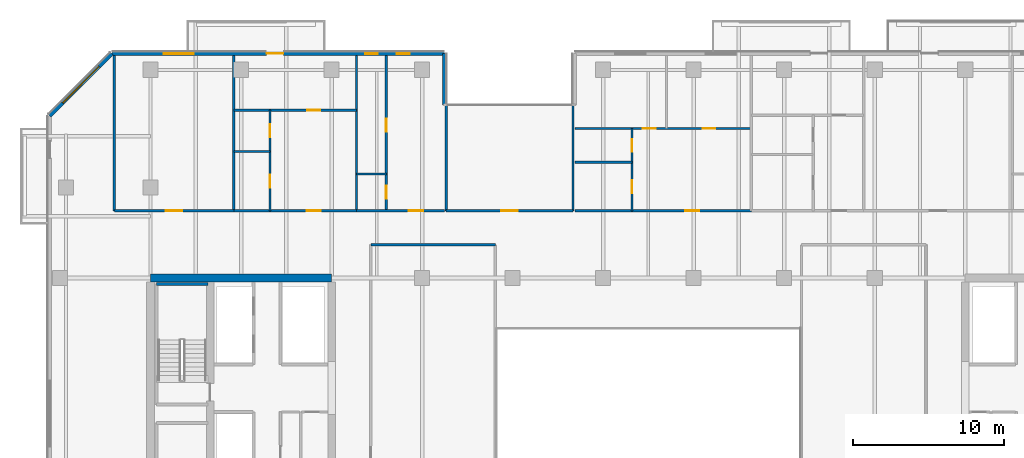
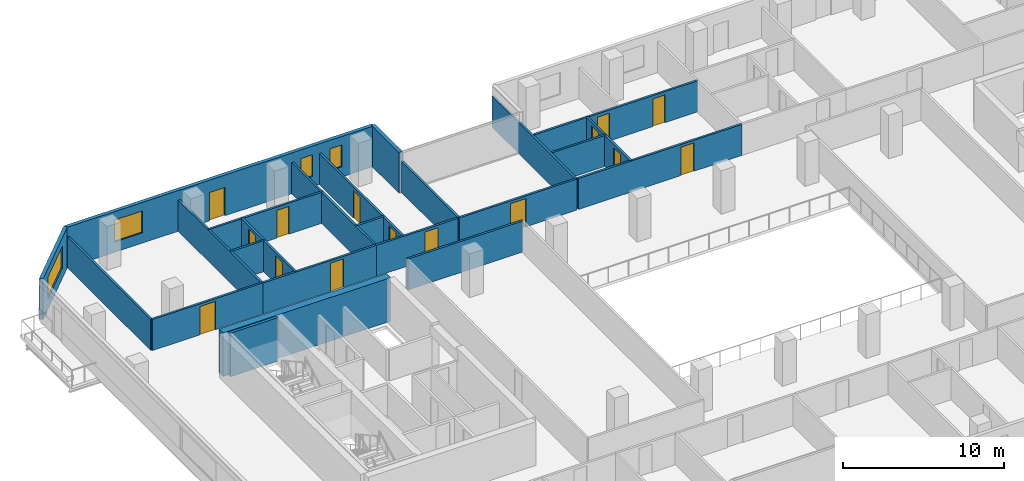
# One storey, part 13 of 23: 24 walls, 15 doors, 4 windows, 19 openings.
"""IFC4 building model written with IfcOpenShell, lengths in metres."""

from ifc_helpers import new_model, si_unit, direction, frame, frame_2d, origin, place, context, subcontext, project, spatial, rectangle, extrude, material, layer, layer_set, type_object, element, fill, save


model = new_model("IFC4")

# Units and contexts
model_context = context("Model", 3, precision=1e-05, world=origin(), true_north=direction((0.0, 1.0)))
body_context = subcontext(model_context, "Body", "Model", "MODEL_VIEW")
ifc_project = project(units=[si_unit("LENGTHUNIT", "METRE"), si_unit("AREAUNIT", "SQUARE_METRE"), si_unit("VOLUMEUNIT", "CUBIC_METRE"), si_unit("PLANEANGLEUNIT", "RADIAN"), si_unit("MASSUNIT", "GRAM", prefix="KILO")], contexts=[model_context])

# Site, building, storey
site_placement = place(None, origin())
site = spatial("IfcSite", under=ifc_project, at=site_placement, CompositionType="ELEMENT")
building_placement = place(site_placement, origin())
building = spatial("IfcBuilding", under=site, at=building_placement, Name="Tanjung Sevakor Pilgrim Tower", CompositionType="ELEMENT")
storey_placement = place(building_placement, frame((0.0, 0.0, 82.169921875)))
storey = spatial("IfcBuildingStorey", under=building, at=storey_placement, Name="L22", CompositionType="ELEMENT", Elevation=82.169921875)

# Walls
ifc_material_1 = material(Name="Concrete C60/75", Category="concrete")
ifc_layer_1 = layer(ifc_material_1, 0.5)
ifc_layer_set_1 = layer_set([ifc_layer_1], Name="WALL-CW-500")
wall_type_1 = type_object("IfcWallType", Name="WALL-CW-500", PredefinedType="SHEAR", material=ifc_layer_set_1)
wall_1_placement = place(storey_placement, frame((36.0, 42.60009765625, 0.0), z_axis=(0.0, 0.0, 1.0), x_axis=(-1.0, 0.0, 0.0)))
element("IfcWall", 1, at=wall_1_placement, inside=storey, type_object=wall_type_1, Name="L22 W Core North Shear Wall", PredefinedType="SHEAR", context=body_context, shape_type="SweptSolid", body=[
    extrude(rectangle(XDim=12.0, YDim=0.5, at=frame_2d((6.0, 0.0))), origin(), (0.0, 0.0, 1.0), 3.300048828125),
])
ifc_material_2 = material(Name="Concrete C40/50", Category="concrete")
ifc_layer_2 = layer(ifc_material_2, 0.14990234375)
ifc_layer_set_2 = layer_set([ifc_layer_2], Name="WT-COMP-150")
wall_type_2 = type_object("IfcWallType", Name="WT-COMP-150", PredefinedType="SOLIDWALL", material=ifc_layer_set_2)
wall_2_placement = place(storey_placement, frame((38.60009765625, 44.800048828125, 0.0), z_axis=(0.0, 0.0, 1.0), x_axis=(1.0, 0.0, 0.0)))
element("IfcWall", 2, at=wall_2_placement, inside=storey, type_object=wall_type_2, Name="L22 Partition IW-L22-026", PredefinedType="SOLIDWALL", context=body_context, shape_type="SweptSolid", body=[
    extrude(rectangle(XDim=8.25, YDim=0.14990234375, at=frame_2d((4.125, 0.0))), origin(), (0.0, 0.0, 1.0), 2.35009765625),
])

# Wall, opening, door
wall_3_placement = place(storey_placement, frame((43.60009765625, 47.050048828125, 0.0), z_axis=(0.0, 0.0, 1.0), x_axis=(1.0, 0.0, 0.0)))
wall_3 = element("IfcWall", 3, at=wall_3_placement, inside=storey, type_object=wall_type_2, Name="L22 Partition IW-L22-044", PredefinedType="SOLIDWALL", context=body_context, shape_type="SweptSolid", body=[
    extrude(rectangle(XDim=8.39990234375, YDim=0.14990234375, at=frame_2d((4.199951171875, 0.0))), origin(), (0.0, 0.0, 1.0), 2.35009765625),
])
opening_1_placement = place(wall_3_placement, frame((3.64990234375, 0.0, 0.0)))
opening_1 = element("IfcOpeningElement", 4, at=opening_1_placement, cuts=wall_3, Name="Opening ID-RM2", PredefinedType="OPENING", context=body_context, shape_type="SweptSolid", body=[
    extrude(rectangle(XDim=1.10009765625, YDim=2.14990234375, at=frame_2d((0.550048828125, 1.074951171875))), frame((0.0, 0.0849609375, 0.0), z_axis=(0.0, -1.0, 0.0), x_axis=(1.0, 0.0, 0.0)), (0.0, 0.0, 1.0), 0.169921875),
])
ifc_material_3 = material(Name="Hardwood Timber", Category="wood")
door_type_1 = type_object("IfcDoorType", Name="DT-INT-1100", OperationType="NOTDEFINED", PredefinedType="DOOR", material=ifc_material_3)
door_1_placement = place(opening_1_placement, origin())
door_1 = element("IfcDoor", 5, at=door_1_placement, inside=storey, type_object=door_type_1, Name="L22 North Cleft Seminar Room Door", OperationType="SINGLE_SWING_RIGHT", OverallHeight=2.14990234375, OverallWidth=1.10009765625, PredefinedType="DOOR", context=body_context, shape_type="SweptSolid", body=[
    extrude(rectangle(XDim=1.10009765625, YDim=2.14990234375, at=frame_2d((0.550048828125, 1.074951171875))), frame((0.0, 0.02490234375, 0.0), z_axis=(0.0, -1.0, 0.0), x_axis=(1.0, 0.0, 0.0)), (0.0, 0.0, 1.0), 0.050048828125),
])
fill(opening_1, door_1)

# Walls
for number, where, z_axis, x_axis, name in (
    (6, (43.60009765625, 47.050048828125, 0.0), (0.0, 0.0, 1.0), (0.0, 1.0, 0.0), "L22 Partition IW-L22-045"),
    (7, (52.0, 47.050048828125, 0.0), (0.0, 0.0, 1.0), (0.0, 1.0, 0.0), "L22 Partition IW-L22-046"),
    (8, (21.60009765625, 47.050048828125, 0.0), (0.0, 0.0, 1.0), (0.0, 1.0, 0.0), "L22 Partition IW-L22-079"),
    (9, (29.5185546875, 47.050048828125, 0.0), (0.0, 0.0, 1.0), (0.0, 1.0, 0.0), "L22 Partition IW-L22-080"),
):
    element("IfcWall", number, at=place(storey_placement, frame(where, z_axis=z_axis, x_axis=x_axis)), inside=storey, type_object=wall_type_2, Name=name, PredefinedType="SOLIDWALL", context=body_context, shape_type="SweptSolid", body=[
        extrude(rectangle(XDim=10.300048828125, YDim=0.14990234375, at=frame_2d((5.14990234375, 0.0))), origin(), (0.0, 0.0, 1.0), 2.35009765625),
    ])

# Wall, opening, door
wall_4_placement = place(storey_placement, frame((21.60009765625, 47.050048828125, 0.0), z_axis=(0.0, 0.0, 1.0), x_axis=(1.0, 0.0, 0.0)))
wall_4 = element("IfcWall", 10, at=wall_4_placement, inside=storey, type_object=wall_type_2, Name="L22 Partition IW-L22-081", PredefinedType="SOLIDWALL", context=body_context, shape_type="SweptSolid", body=[
    extrude(rectangle(XDim=7.91845703125, YDim=0.14990234375, at=frame_2d((3.959228515625, 0.0))), origin(), (0.0, 0.0, 1.0), 2.35009765625),
])
opening_2_placement = place(wall_4_placement, frame((3.4091796875, 0.0, 0.0)))
opening_2 = element("IfcOpeningElement", 11, at=opening_2_placement, cuts=wall_4, Name="Opening ID-FD0", PredefinedType="OPENING", context=body_context, shape_type="SweptSolid", body=[
    extrude(rectangle(XDim=1.10009765625, YDim=2.14990234375, at=frame_2d((0.550048828125, 1.074951171875))), frame((0.0, 0.0849609375, 0.0), z_axis=(0.0, -1.0, 0.0), x_axis=(1.0, 0.0, 0.0)), (0.0, 0.0, 1.0), 0.169921875),
])
ifc_material_4 = material(Name="Fire-Rated Steel S355J2", Category="steel")
door_type_2 = type_object("IfcDoorType", Name="DT-FIRE-1100", OperationType="NOTDEFINED", PredefinedType="DOOR", material=ifc_material_4)
door_2_placement = place(opening_2_placement, origin())
door_2 = element("IfcDoor", 12, at=door_2_placement, inside=storey, type_object=door_type_2, Name="Communal Lounge Door", OperationType="SINGLE_SWING_RIGHT", OverallHeight=2.14990234375, OverallWidth=1.10009765625, PredefinedType="DOOR", context=body_context, shape_type="SweptSolid", body=[
    extrude(rectangle(XDim=1.10009765625, YDim=2.14990234375, at=frame_2d((0.550048828125, 1.074951171875))), frame((0.0, 0.02490234375, 0.0), z_axis=(0.0, -1.0, 0.0), x_axis=(1.0, 0.0, 0.0)), (0.0, 0.0, 1.0), 0.050048828125),
])
fill(opening_2, door_2)

# Wall
wall_5_placement = place(storey_placement, frame((37.6455078125, 47.050048828125, 0.0), z_axis=(0.0, 0.0, 1.0), x_axis=(0.0, 1.0, 0.0)))
element("IfcWall", 13, at=wall_5_placement, inside=storey, type_object=wall_type_2, Name="L22 Partition IW-L22-082", PredefinedType="SOLIDWALL", context=body_context, shape_type="SweptSolid", body=[
    extrude(rectangle(XDim=10.300048828125, YDim=0.14990234375, at=frame_2d((5.14990234375, 0.0))), origin(), (0.0, 0.0, 1.0), 2.35009765625),
])

# Wall, opening, door
wall_6_placement = place(storey_placement, frame((29.5185546875, 47.050048828125, 0.0), z_axis=(0.0, 0.0, 1.0), x_axis=(1.0, 0.0, 0.0)))
wall_6 = element("IfcWall", 14, at=wall_6_placement, inside=storey, type_object=wall_type_2, Name="L22 Partition IW-L22-086", PredefinedType="SOLIDWALL", context=body_context, shape_type="SweptSolid", body=[
    extrude(rectangle(XDim=8.126953125, YDim=0.14990234375, at=frame_2d((4.0634765625, 0.0))), origin(), (0.0, 0.0, 1.0), 2.35009765625),
])
opening_3_placement = place(wall_6_placement, frame((4.8291015625, 0.0, 0.0)))
opening_3 = element("IfcOpeningElement", 15, at=opening_3_placement, cuts=wall_6, Name="Opening ID-FD2", PredefinedType="OPENING", context=body_context, shape_type="SweptSolid", body=[
    extrude(rectangle(XDim=0.949951171875, YDim=2.14990234375, at=frame_2d((0.47509765625, 1.074951171875))), frame((0.0, 0.0849609375, 0.0), z_axis=(0.0, -1.0, 0.0), x_axis=(1.0, 0.0, 0.0)), (0.0, 0.0, 1.0), 0.169921875),
])
ifc_material_5 = material(Name="Fire-Rated Timber", Category="wood")
door_type_3 = type_object("IfcDoorType", Name="DT-FIRE-950", OperationType="NOTDEFINED", PredefinedType="DOOR", material=ifc_material_5)
door_3_placement = place(opening_3_placement, origin())
door_3 = element("IfcDoor", 16, at=door_3_placement, inside=storey, type_object=door_type_3, Name="Residence Entrance", OperationType="SINGLE_SWING_RIGHT", OverallHeight=2.14990234375, OverallWidth=0.949951171875, PredefinedType="DOOR", context=body_context, shape_type="SweptSolid", body=[
    extrude(rectangle(XDim=0.949951171875, YDim=2.14990234375, at=frame_2d((0.47509765625, 1.074951171875))), frame((0.0, 0.02490234375, 0.0), z_axis=(0.0, -1.0, 0.0), x_axis=(1.0, 0.0, 0.0)), (0.0, 0.0, 1.0), 0.050048828125),
])
fill(opening_3, door_3)

wall_7_placement = place(storey_placement, frame((37.6455078125, 47.050048828125, 0.0), z_axis=(0.0, 0.0, 1.0), x_axis=(1.0, 0.0, 0.0)))
wall_7 = element("IfcWall", 17, at=wall_7_placement, inside=storey, type_object=wall_type_2, Name="L22 Partition IW-L22-089", PredefinedType="SOLIDWALL", context=body_context, shape_type="SweptSolid", body=[
    extrude(rectangle(XDim=5.83447265625, YDim=0.14990234375, at=frame_2d((2.917236328125, 0.0))), origin(), (0.0, 0.0, 1.0), 2.35009765625),
])
opening_4_placement = place(wall_7_placement, frame((3.47412109375, 0.0, 0.0)))
opening_4 = element("IfcOpeningElement", 18, at=opening_4_placement, cuts=wall_7, Name="Opening ID-FD2", PredefinedType="OPENING", context=body_context, shape_type="SweptSolid", body=[
    extrude(rectangle(XDim=0.949951171875, YDim=2.14990234375, at=frame_2d((0.47509765625, 1.074951171875))), frame((0.0, 0.0849609375, 0.0), z_axis=(0.0, -1.0, 0.0), x_axis=(1.0, 0.0, 0.0)), (0.0, 0.0, 1.0), 0.169921875),
])
door_4_placement = place(opening_4_placement, origin())
door_4 = element("IfcDoor", 19, at=door_4_placement, inside=storey, type_object=door_type_3, Name="Hostel Quad Entrance", OperationType="SINGLE_SWING_LEFT", OverallHeight=2.14990234375, OverallWidth=0.949951171875, PredefinedType="DOOR", context=body_context, shape_type="SweptSolid", body=[
    extrude(rectangle(XDim=0.949951171875, YDim=2.14990234375, at=frame_2d((0.47509765625, 1.074951171875))), frame((0.0, 0.02490234375, 0.0), z_axis=(0.0, -1.0, 0.0), x_axis=(1.0, 0.0, 0.0)), (0.0, 0.0, 1.0), 0.050048828125),
])
fill(opening_4, door_4)

wall_8_placement = place(storey_placement, frame((52.1201171875, 47.050048828125, 0.0), z_axis=(0.0, 0.0, 1.0), x_axis=(1.0, 0.0, 0.0)))
wall_8 = element("IfcWall", 20, at=wall_8_placement, inside=storey, type_object=wall_type_2, Name="L22 Partition IW-L22-096", PredefinedType="SOLIDWALL", context=body_context, shape_type="SweptSolid", body=[
    extrude(rectangle(XDim=11.701171875, YDim=0.14990234375, at=frame_2d((5.8505859375, 0.0))), origin(), (0.0, 0.0, 1.0), 2.35009765625),
])
opening_5_placement = place(wall_8_placement, frame((7.315673828125, 0.0, 0.0)))
opening_5 = element("IfcOpeningElement", 21, at=opening_5_placement, cuts=wall_8, Name="Opening ID-FD2", PredefinedType="OPENING", context=body_context, shape_type="SweptSolid", body=[
    extrude(rectangle(XDim=0.949951171875, YDim=2.14990234375, at=frame_2d((0.47509765625, 1.074951171875))), frame((0.0, 0.0849609375, 0.0), z_axis=(0.0, -1.0, 0.0), x_axis=(1.0, 0.0, 0.0)), (0.0, 0.0, 1.0), 0.169921875),
])
door_5_placement = place(opening_5_placement, origin())
door_5 = element("IfcDoor", 22, at=door_5_placement, inside=storey, type_object=door_type_3, Name="Suite Entrance", OperationType="SINGLE_SWING_RIGHT", OverallHeight=2.14990234375, OverallWidth=0.949951171875, PredefinedType="DOOR", context=body_context, shape_type="SweptSolid", body=[
    extrude(rectangle(XDim=0.949951171875, YDim=2.14990234375, at=frame_2d((0.47509765625, 1.074951171875))), frame((0.0, 0.02490234375, 0.0), z_axis=(0.0, -1.0, 0.0), x_axis=(1.0, 0.0, 0.0)), (0.0, 0.0, 1.0), 0.050048828125),
])
fill(opening_5, door_5)

# Wall
ifc_material_6 = material(Name="Precast concrete C45/55", Category="concrete")
ifc_layer_3 = layer(ifc_material_6, 0.25)
ifc_layer_set_3 = layer_set([ifc_layer_3], Name="WT-EW-STN3")
wall_type_3 = type_object("IfcWallType", Name="WT-EW-STN3", PredefinedType="SOLIDWALL", material=ifc_layer_set_3)
wall_9_placement = place(storey_placement, frame((43.47509765625, 54.074951171875, 0.0), z_axis=(0.0, 0.0, 1.0), x_axis=(0.0, 1.0, 0.0)))
element("IfcWall", 23, at=wall_9_placement, inside=storey, type_object=wall_type_3, Name="L22 MAIN Exterior Wall 12", PredefinedType="SOLIDWALL", context=body_context, shape_type="SweptSolid", body=[
    extrude(rectangle(XDim=3.400146484375, YDim=0.25, at=frame_2d((1.7001953125, 0.0))), origin(), (0.0, 0.0, 1.0), 3.080078125),
])

# Wall, openings, door, windows
wall_10_placement = place(storey_placement, frame((43.47509765625, 57.47509765625, 0.0), z_axis=(0.0, 0.0, 1.0), x_axis=(-1.0, 0.0, 0.0)))
wall_10 = element("IfcWall", 24, at=wall_10_placement, inside=storey, type_object=wall_type_3, Name="L22 MAIN Exterior Wall 13", PredefinedType="SOLIDWALL", context=body_context, shape_type="SweptSolid", body=[
    extrude(rectangle(XDim=22.023193359375, YDim=0.25, at=frame_2d((11.01171875, 0.0))), origin(), (0.0, 0.0, 1.0), 3.080078125),
])
opening_6_placement = place(wall_10_placement, frame((10.675048828125, 0.0, 0.0)))
opening_6 = element("IfcOpeningElement", 25, at=opening_6_placement, cuts=wall_10, Name="Opening ED-BAL-1100", PredefinedType="OPENING", context=body_context, shape_type="SweptSolid", body=[
    extrude(rectangle(XDim=1.10009765625, YDim=2.14990234375, at=frame_2d((0.550048828125, 1.074951171875))), frame((0.0, 0.135009765625, 0.0), z_axis=(0.0, -1.0, 0.0), x_axis=(1.0, 0.0, 0.0)), (0.0, 0.0, 1.0), 0.27001953125),
])
opening_7_placement = place(wall_10_placement, frame((16.595703125, 0.0, 0.780029296875)))
opening_7 = element("IfcOpeningElement", 26, at=opening_7_placement, cuts=wall_10, Name="Opening WN-Z2-1660", PredefinedType="OPENING", context=body_context, shape_type="SweptSolid", body=[
    extrude(rectangle(XDim=2.0, YDim=1.659912109375, at=frame_2d((1.0, 0.830078125))), frame((0.0, 0.135009765625, 0.0), z_axis=(0.0, -1.0, 0.0), x_axis=(1.0, 0.0, 0.0)), (0.0, 0.0, 1.0), 0.27001953125),
])
opening_8_placement = place(wall_10_placement, frame((4.402587890625, 0.0, 0.780029296875)))
opening_8 = element("IfcOpeningElement", 27, at=opening_8_placement, cuts=wall_10, Name="Opening WN-SLM", PredefinedType="OPENING", context=body_context, shape_type="SweptSolid", body=[
    extrude(rectangle(XDim=0.85009765625, YDim=1.64990234375, at=frame_2d((0.425048828125, 0.824951171875))), frame((0.0, 0.135009765625, 0.0), z_axis=(0.0, -1.0, 0.0), x_axis=(1.0, 0.0, 0.0)), (0.0, 0.0, 1.0), 0.27001953125),
])
opening_9_placement = place(wall_10_placement, frame((2.305419921875, 0.0, 0.780029296875)))
opening_9 = element("IfcOpeningElement", 28, at=opening_9_placement, cuts=wall_10, Name="Opening WN-SLM", PredefinedType="OPENING", context=body_context, shape_type="SweptSolid", body=[
    extrude(rectangle(XDim=0.85009765625, YDim=1.64990234375, at=frame_2d((0.425048828125, 0.824951171875))), frame((0.0, 0.135009765625, 0.0), z_axis=(0.0, -1.0, 0.0), x_axis=(1.0, 0.0, 0.0)), (0.0, 0.0, 1.0), 0.27001953125),
])
ifc_material_7 = material(Name="Anodised Aluminium and Laminated Glass", Category="aluminium")
door_type_4 = type_object("IfcDoorType", Name="DTYP-ED-BAL-1100", OperationType="NOTDEFINED", PredefinedType="DOOR", material=ifc_material_7)
door_6_placement = place(opening_6_placement, frame((1.10009765625, 0.0, 0.0), z_axis=(0.0, 0.0, 1.0), x_axis=(-1.0, 0.0, 0.0)))
door_6 = element("IfcDoor", 29, at=door_6_placement, inside=storey, type_object=door_type_4, Name="L22 Balcony Door MAIN-N1", OperationType="SINGLE_SWING_RIGHT", OverallHeight=2.14990234375, OverallWidth=1.10009765625, PredefinedType="DOOR", context=body_context, shape_type="SweptSolid", body=[
    extrude(rectangle(XDim=1.10009765625, YDim=2.14990234375, at=frame_2d((0.550048828125, 1.074951171875))), frame((0.0, 0.02490234375, 0.0), z_axis=(0.0, -1.0, 0.0), x_axis=(1.0, 0.0, 0.0)), (0.0, 0.0, 1.0), 0.050048828125),
])
fill(opening_6, door_6)
ifc_material_8 = material(Name="Thermally Broken Aluminium and Low-E Glass", Category="aluminium")
window_type_1 = type_object("IfcWindowType", Name="WTYP-WN-SLM", PartitioningType="SINGLE_PANEL", PredefinedType="WINDOW", material=ifc_material_8)
window_1_placement = place(opening_8_placement, origin())
window_1 = element("IfcWindow", 30, at=window_1_placement, inside=storey, type_object=window_type_1, Name="L22 Facade Window 02", OverallHeight=1.64990234375, OverallWidth=0.85009765625, PartitioningType="SINGLE_PANEL", PredefinedType="WINDOW", context=body_context, shape_type="SweptSolid", body=[
    extrude(rectangle(XDim=0.85009765625, YDim=1.64990234375, at=frame_2d((0.425048828125, 0.824951171875))), frame((0.0, 0.030029296875, 0.0), z_axis=(0.0, -1.0, 0.0), x_axis=(1.0, 0.0, 0.0)), (0.0, 0.0, 1.0), 0.06005859375),
])
fill(opening_8, window_1)
window_2_placement = place(opening_9_placement, origin())
window_2 = element("IfcWindow", 31, at=window_2_placement, inside=storey, type_object=window_type_1, Name="L22 Facade Window 03", OverallHeight=1.64990234375, OverallWidth=0.85009765625, PartitioningType="SINGLE_PANEL", PredefinedType="WINDOW", context=body_context, shape_type="SweptSolid", body=[
    extrude(rectangle(XDim=0.85009765625, YDim=1.64990234375, at=frame_2d((0.425048828125, 0.824951171875))), frame((0.0, 0.030029296875, 0.0), z_axis=(0.0, -1.0, 0.0), x_axis=(1.0, 0.0, 0.0)), (0.0, 0.0, 1.0), 0.06005859375),
])
fill(opening_9, window_2)
ifc_material_9 = material(Name="Thermally Broken Aluminium and Low-E Glass", Category="aluminium")
window_type_2 = type_object("IfcWindowType", Name="WTYP-WN-Z2-1660", PartitioningType="DOUBLE_PANEL_VERTICAL", PredefinedType="WINDOW", material=ifc_material_9)
window_3_placement = place(opening_7_placement, origin())
window_3 = element("IfcWindow", 32, at=window_3_placement, inside=storey, type_object=window_type_2, Name="L22 Facade Window 01", OverallHeight=1.659912109375, OverallWidth=2.0, PartitioningType="SINGLE_PANEL", PredefinedType="WINDOW", context=body_context, shape_type="SweptSolid", body=[
    extrude(rectangle(XDim=2.0, YDim=1.659912109375, at=frame_2d((1.0, 0.830078125))), frame((0.0, 0.030029296875, 0.0), z_axis=(0.0, -1.0, 0.0), x_axis=(1.0, 0.0, 0.0)), (0.0, 0.0, 1.0), 0.06005859375),
])
fill(opening_7, window_3)

# Wall, opening, window
wall_11_placement = place(storey_placement, frame((21.451904296875, 57.47509765625, 0.0), z_axis=(0.0, 0.0, 1.0), x_axis=(-0.707106781187, -0.707106781187, 0.0)))
wall_11 = element("IfcWall", 33, at=wall_11_placement, inside=storey, type_object=wall_type_3, Name="L22 MAIN Sculpted Corner Wall 13", PredefinedType="SOLIDWALL", context=body_context, shape_type="SweptSolid", body=[
    extrude(rectangle(XDim=5.83642578125, YDim=0.25, at=frame_2d((2.918212890625, 0.0))), origin(), (0.0, 0.0, 1.0), 3.080078125),
])
opening_10_placement = place(wall_11_placement, frame((1.218017578125, 0.0, 0.780029296875)))
opening_10 = element("IfcOpeningElement", 34, at=opening_10_placement, cuts=wall_11, Name="Opening WN-CHM-1660", PredefinedType="OPENING", context=body_context, shape_type="SweptSolid", body=[
    extrude(rectangle(XDim=3.39990234375, YDim=1.659912109375, at=frame_2d((1.699951171875, 0.830078125))), frame((0.0, 0.135009765625, 0.0), z_axis=(0.0, -1.0, 0.0), x_axis=(1.0, 0.0, 0.0)), (0.0, 0.0, 1.0), 0.27001953125),
])
ifc_material_10 = material(Name="Thermally Broken Aluminium and Low-E Glass", Category="aluminium")
window_type_3 = type_object("IfcWindowType", Name="WTYP-WN-CHM-1660", PartitioningType="DOUBLE_PANEL_VERTICAL", PredefinedType="WINDOW", material=ifc_material_10)
window_4_placement = place(opening_10_placement, origin())
window_4 = element("IfcWindow", 35, at=window_4_placement, inside=storey, type_object=window_type_3, Name="L22 Facade Window 01", OverallHeight=1.659912109375, OverallWidth=3.39990234375, PartitioningType="SINGLE_PANEL", PredefinedType="WINDOW", context=body_context, shape_type="SweptSolid", body=[
    extrude(rectangle(XDim=3.39990234375, YDim=1.659912109375, at=frame_2d((1.699951171875, 0.830078125))), frame((0.0, 0.030029296875, 0.0), z_axis=(0.0, -1.0, 0.0), x_axis=(1.0, 0.0, 0.0)), (0.0, 0.0, 1.0), 0.06005859375),
])
fill(opening_10, window_4)

# Walls
ifc_material_11 = material(Name="Concrete C40/50", Category="concrete")
ifc_layer_4 = layer(ifc_material_11, 0.199951171875)
ifc_layer_set_4 = layer_set([ifc_layer_4], Name="WT-FIRE-200")
wall_type_4 = type_object("IfcWallType", Name="WT-FIRE-200", PredefinedType="SOLIDWALL", material=ifc_layer_set_4)
wall_12_placement = place(storey_placement, frame((27.800048828125, 42.199951171875, 0.0), z_axis=(0.0, 0.0, 1.0), x_axis=(-1.0, 0.0, 0.0)))
element("IfcWall", 36, at=wall_12_placement, inside=storey, type_object=wall_type_4, Name="L22 TS-W2 Shaft Wall 2", PredefinedType="SOLIDWALL", context=body_context, shape_type="SweptSolid", body=[
    extrude(rectangle(XDim=3.400146484375, YDim=0.199951171875, at=frame_2d((1.7001953125, 0.0))), origin(), (0.0, 0.0, 1.0), 3.300048828125),
])
ifc_material_12 = material(Name="Gypsum Board Partition", Category="gypsum board")
ifc_layer_5 = layer(ifc_material_12, 0.14990234375)
ifc_layer_set_5 = layer_set([ifc_layer_5], Name="WT-PART-150")
wall_type_5 = type_object("IfcWallType", Name="WT-PART-150", PredefinedType="PARTITIONING", material=ifc_layer_set_5)
wall_13_placement = place(storey_placement, frame((29.5185546875, 50.9853515625, 0.0), z_axis=(0.0, 0.0, 1.0), x_axis=(1.0, 0.0, 0.0)))
element("IfcWall", 37, at=wall_13_placement, inside=storey, type_object=wall_type_5, Name="L22 Partition IW-L22-083", PredefinedType="PARTITIONING", context=body_context, shape_type="SweptSolid", body=[
    extrude(rectangle(XDim=2.4013671875, YDim=0.14990234375, at=frame_2d((1.20068359375, 0.0))), origin(), (0.0, 0.0, 1.0), 2.35009765625),
])

# Wall, openings, doors
wall_14_placement = place(storey_placement, frame((31.919921875, 47.050048828125, 0.0), z_axis=(0.0, 0.0, 1.0), x_axis=(0.0, 1.0, 0.0)))
wall_14 = element("IfcWall", 38, at=wall_14_placement, inside=storey, type_object=wall_type_5, Name="L22 Partition IW-L22-084", PredefinedType="PARTITIONING", context=body_context, shape_type="SweptSolid", body=[
    extrude(rectangle(XDim=6.670166015625, YDim=0.14990234375, at=frame_2d((3.3349609375, 0.0))), origin(), (0.0, 0.0, 1.0), 2.35009765625),
])
opening_11_placement = place(wall_14_placement, frame((1.542724609375, 0.0, 0.0)))
opening_11 = element("IfcOpeningElement", 39, at=opening_11_placement, cuts=wall_14, Name="Opening ID-WC1", PredefinedType="OPENING", context=body_context, shape_type="SweptSolid", body=[
    extrude(rectangle(XDim=0.85009765625, YDim=2.10009765625, at=frame_2d((0.425048828125, 1.050048828125))), frame((0.0, 0.0849609375, 0.0), z_axis=(0.0, -1.0, 0.0), x_axis=(1.0, 0.0, 0.0)), (0.0, 0.0, 1.0), 0.169921875),
])
opening_12_placement = place(wall_14_placement, frame((4.877685546875, 0.0, 0.0)))
opening_12 = element("IfcOpeningElement", 40, at=opening_12_placement, cuts=wall_14, Name="Opening ID-WC1", PredefinedType="OPENING", context=body_context, shape_type="SweptSolid", body=[
    extrude(rectangle(XDim=0.85009765625, YDim=2.10009765625, at=frame_2d((0.425048828125, 1.050048828125))), frame((0.0, 0.0849609375, 0.0), z_axis=(0.0, -1.0, 0.0), x_axis=(1.0, 0.0, 0.0)), (0.0, 0.0, 1.0), 0.169921875),
])
ifc_material_13 = material(Name="Moisture-Resistant Timber", Category="wood")
door_type_5 = type_object("IfcDoorType", Name="DT-INT-850", OperationType="NOTDEFINED", PredefinedType="DOOR", material=ifc_material_13)
door_7_placement = place(opening_11_placement, origin())
door_7 = element("IfcDoor", 41, at=door_7_placement, inside=storey, type_object=door_type_5, Name="Residence Kitchenette Door", OperationType="SINGLE_SWING_LEFT", OverallHeight=2.10009765625, OverallWidth=0.85009765625, PredefinedType="DOOR", context=body_context, shape_type="SweptSolid", body=[
    extrude(rectangle(XDim=0.85009765625, YDim=2.10009765625, at=frame_2d((0.425048828125, 1.050048828125))), frame((0.0, 0.02490234375, 0.0), z_axis=(0.0, -1.0, 0.0), x_axis=(1.0, 0.0, 0.0)), (0.0, 0.0, 1.0), 0.050048828125),
])
fill(opening_11, door_7)
door_8_placement = place(opening_12_placement, origin())
door_8 = element("IfcDoor", 42, at=door_8_placement, inside=storey, type_object=door_type_5, Name="Residence Bathroom Door", OperationType="SINGLE_SWING_RIGHT", OverallHeight=2.10009765625, OverallWidth=0.85009765625, PredefinedType="DOOR", context=body_context, shape_type="SweptSolid", body=[
    extrude(rectangle(XDim=0.85009765625, YDim=2.10009765625, at=frame_2d((0.425048828125, 1.050048828125))), frame((0.0, 0.02490234375, 0.0), z_axis=(0.0, -1.0, 0.0), x_axis=(1.0, 0.0, 0.0)), (0.0, 0.0, 1.0), 0.050048828125),
])
fill(opening_12, door_8)

# Wall, opening, door
wall_15_placement = place(storey_placement, frame((29.5185546875, 53.72021484375, 0.0), z_axis=(0.0, 0.0, 1.0), x_axis=(1.0, 0.0, 0.0)))
wall_15 = element("IfcWall", 43, at=wall_15_placement, inside=storey, type_object=wall_type_5, Name="L22 Partition IW-L22-085", PredefinedType="PARTITIONING", context=body_context, shape_type="SweptSolid", body=[
    extrude(rectangle(XDim=8.126953125, YDim=0.14990234375, at=frame_2d((4.0634765625, 0.0))), origin(), (0.0, 0.0, 1.0), 2.35009765625),
])
opening_13_placement = place(wall_15_placement, frame((4.879150390625, 0.0, 0.0)))
opening_13 = element("IfcOpeningElement", 44, at=opening_13_placement, cuts=wall_15, Name="Opening ID-WC1", PredefinedType="OPENING", context=body_context, shape_type="SweptSolid", body=[
    extrude(rectangle(XDim=0.85009765625, YDim=2.10009765625, at=frame_2d((0.425048828125, 1.050048828125))), frame((0.0, 0.0849609375, 0.0), z_axis=(0.0, -1.0, 0.0), x_axis=(1.0, 0.0, 0.0)), (0.0, 0.0, 1.0), 0.169921875),
])
door_9_placement = place(opening_13_placement, origin())
door_9 = element("IfcDoor", 45, at=door_9_placement, inside=storey, type_object=door_type_5, Name="Residence Bedroom Door", OperationType="SINGLE_SWING_LEFT", OverallHeight=2.10009765625, OverallWidth=0.85009765625, PredefinedType="DOOR", context=body_context, shape_type="SweptSolid", body=[
    extrude(rectangle(XDim=0.85009765625, YDim=2.10009765625, at=frame_2d((0.425048828125, 1.050048828125))), frame((0.0, 0.02490234375, 0.0), z_axis=(0.0, -1.0, 0.0), x_axis=(1.0, 0.0, 0.0)), (0.0, 0.0, 1.0), 0.050048828125),
])
fill(opening_13, door_9)

# Wall
wall_16_placement = place(storey_placement, frame((37.6455078125, 49.5, 0.0), z_axis=(0.0, 0.0, 1.0), x_axis=(1.0, 0.0, 0.0)))
element("IfcWall", 46, at=wall_16_placement, inside=storey, type_object=wall_type_5, Name="L22 Partition IW-L22-087", PredefinedType="PARTITIONING", context=body_context, shape_type="SweptSolid", body=[
    extrude(rectangle(XDim=1.983642578125, YDim=0.14990234375, at=frame_2d((0.99169921875, 0.0))), origin(), (0.0, 0.0, 1.0), 2.35009765625),
])

# Wall, openings, doors
wall_17_placement = place(storey_placement, frame((39.629150390625, 47.050048828125, 0.0), z_axis=(0.0, 0.0, 1.0), x_axis=(0.0, 1.0, 0.0)))
wall_17 = element("IfcWall", 47, at=wall_17_placement, inside=storey, type_object=wall_type_5, Name="L22 Partition IW-L22-088", PredefinedType="PARTITIONING", context=body_context, shape_type="SweptSolid", body=[
    extrude(rectangle(XDim=10.300048828125, YDim=0.14990234375, at=frame_2d((5.14990234375, 0.0))), origin(), (0.0, 0.0, 1.0), 2.35009765625),
])
opening_14_placement = place(wall_17_placement, frame((0.800048828125, 0.0, 0.0)))
opening_14 = element("IfcOpeningElement", 48, at=opening_14_placement, cuts=wall_17, Name="Opening ID-WC1", PredefinedType="OPENING", context=body_context, shape_type="SweptSolid", body=[
    extrude(rectangle(XDim=0.85009765625, YDim=2.10009765625, at=frame_2d((0.425048828125, 1.050048828125))), frame((0.0, 0.0849609375, 0.0), z_axis=(0.0, -1.0, 0.0), x_axis=(1.0, 0.0, 0.0)), (0.0, 0.0, 1.0), 0.169921875),
])
opening_15_placement = place(wall_17_placement, frame((5.25, 0.0, 0.0)))
opening_15 = element("IfcOpeningElement", 49, at=opening_15_placement, cuts=wall_17, Name="Opening ID-WC1", PredefinedType="OPENING", context=body_context, shape_type="SweptSolid", body=[
    extrude(rectangle(XDim=0.85009765625, YDim=2.10009765625, at=frame_2d((0.425048828125, 1.050048828125))), frame((0.0, 0.0849609375, 0.0), z_axis=(0.0, -1.0, 0.0), x_axis=(1.0, 0.0, 0.0)), (0.0, 0.0, 1.0), 0.169921875),
])
door_10_placement = place(opening_14_placement, origin())
door_10 = element("IfcDoor", 50, at=door_10_placement, inside=storey, type_object=door_type_5, Name="Bathroom Door", OperationType="SINGLE_SWING_LEFT", OverallHeight=2.10009765625, OverallWidth=0.85009765625, PredefinedType="DOOR", context=body_context, shape_type="SweptSolid", body=[
    extrude(rectangle(XDim=0.85009765625, YDim=2.10009765625, at=frame_2d((0.425048828125, 1.050048828125))), frame((0.0, 0.02490234375, 0.0), z_axis=(0.0, -1.0, 0.0), x_axis=(1.0, 0.0, 0.0)), (0.0, 0.0, 1.0), 0.050048828125),
])
fill(opening_14, door_10)
door_11_placement = place(opening_15_placement, origin())
door_11 = element("IfcDoor", 51, at=door_11_placement, inside=storey, type_object=door_type_5, Name="Study Nook Door", OperationType="SINGLE_SWING_RIGHT", OverallHeight=2.10009765625, OverallWidth=0.85009765625, PredefinedType="DOOR", context=body_context, shape_type="SweptSolid", body=[
    extrude(rectangle(XDim=0.85009765625, YDim=2.10009765625, at=frame_2d((0.425048828125, 1.050048828125))), frame((0.0, 0.02490234375, 0.0), z_axis=(0.0, -1.0, 0.0), x_axis=(1.0, 0.0, 0.0)), (0.0, 0.0, 1.0), 0.050048828125),
])
fill(opening_15, door_11)

# Wall
wall_18_placement = place(storey_placement, frame((52.1201171875, 50.2666015625, 0.0), z_axis=(0.0, 0.0, 1.0), x_axis=(1.0, 0.0, 0.0)))
element("IfcWall", 52, at=wall_18_placement, inside=storey, type_object=wall_type_5, Name="L22 Partition IW-L22-092", PredefinedType="PARTITIONING", context=body_context, shape_type="SweptSolid", body=[
    extrude(rectangle(XDim=3.7998046875, YDim=0.14990234375, at=frame_2d((1.89990234375, 0.0))), origin(), (0.0, 0.0, 1.0), 2.35009765625),
])

# Wall, openings, doors
wall_19_placement = place(storey_placement, frame((55.919921875, 47.050048828125, 0.0), z_axis=(0.0, 0.0, 1.0), x_axis=(0.0, 1.0, 0.0)))
wall_19 = element("IfcWall", 53, at=wall_19_placement, inside=storey, type_object=wall_type_5, Name="L22 Partition IW-L22-093", PredefinedType="PARTITIONING", context=body_context, shape_type="SweptSolid", body=[
    extrude(rectangle(XDim=5.45166015625, YDim=0.14990234375, at=frame_2d((2.725830078125, 0.0))), origin(), (0.0, 0.0, 1.0), 2.35009765625),
])
opening_16_placement = place(wall_19_placement, frame((1.183349609375, 0.0, 0.0)))
opening_16 = element("IfcOpeningElement", 54, at=opening_16_placement, cuts=wall_19, Name="Opening ID-WC1", PredefinedType="OPENING", context=body_context, shape_type="SweptSolid", body=[
    extrude(rectangle(XDim=0.85009765625, YDim=2.10009765625, at=frame_2d((0.425048828125, 1.050048828125))), frame((0.0, 0.0849609375, 0.0), z_axis=(0.0, -1.0, 0.0), x_axis=(1.0, 0.0, 0.0)), (0.0, 0.0, 1.0), 0.169921875),
])
opening_17_placement = place(wall_19_placement, frame((3.9091796875, 0.0, 0.0)))
opening_17 = element("IfcOpeningElement", 55, at=opening_17_placement, cuts=wall_19, Name="Opening ID-WC1", PredefinedType="OPENING", context=body_context, shape_type="SweptSolid", body=[
    extrude(rectangle(XDim=0.85009765625, YDim=2.10009765625, at=frame_2d((0.425048828125, 1.050048828125))), frame((0.0, 0.0849609375, 0.0), z_axis=(0.0, -1.0, 0.0), x_axis=(1.0, 0.0, 0.0)), (0.0, 0.0, 1.0), 0.169921875),
])
door_12_placement = place(opening_16_placement, origin())
door_12 = element("IfcDoor", 56, at=door_12_placement, inside=storey, type_object=door_type_5, Name="Suite Kitchenette Door", OperationType="SINGLE_SWING_RIGHT", OverallHeight=2.10009765625, OverallWidth=0.85009765625, PredefinedType="DOOR", context=body_context, shape_type="SweptSolid", body=[
    extrude(rectangle(XDim=0.85009765625, YDim=2.10009765625, at=frame_2d((0.425048828125, 1.050048828125))), frame((0.0, 0.02490234375, 0.0), z_axis=(0.0, -1.0, 0.0), x_axis=(1.0, 0.0, 0.0)), (0.0, 0.0, 1.0), 0.050048828125),
])
fill(opening_16, door_12)
door_13_placement = place(opening_17_placement, origin())
door_13 = element("IfcDoor", 57, at=door_13_placement, inside=storey, type_object=door_type_5, Name="Suite Bathroom Door", OperationType="SINGLE_SWING_LEFT", OverallHeight=2.10009765625, OverallWidth=0.85009765625, PredefinedType="DOOR", context=body_context, shape_type="SweptSolid", body=[
    extrude(rectangle(XDim=0.85009765625, YDim=2.10009765625, at=frame_2d((0.425048828125, 1.050048828125))), frame((0.0, 0.02490234375, 0.0), z_axis=(0.0, -1.0, 0.0), x_axis=(1.0, 0.0, 0.0)), (0.0, 0.0, 1.0), 0.050048828125),
])
fill(opening_17, door_13)

wall_20_placement = place(storey_placement, frame((52.1201171875, 52.501708984375, 0.0), z_axis=(0.0, 0.0, 1.0), x_axis=(1.0, 0.0, 0.0)))
wall_20 = element("IfcWall", 58, at=wall_20_placement, inside=storey, type_object=wall_type_5, Name="L22 Partition IW-L22-095", PredefinedType="PARTITIONING", context=body_context, shape_type="SweptSolid", body=[
    extrude(rectangle(XDim=11.701171875, YDim=0.14990234375, at=frame_2d((5.8505859375, 0.0))), origin(), (0.0, 0.0, 1.0), 2.35009765625),
])
opening_18_placement = place(wall_20_placement, frame((4.517333984375, 0.0, 0.0)))
opening_18 = element("IfcOpeningElement", 59, at=opening_18_placement, cuts=wall_20, Name="Opening ID-WC1", PredefinedType="OPENING", context=body_context, shape_type="SweptSolid", body=[
    extrude(rectangle(XDim=0.85009765625, YDim=2.10009765625, at=frame_2d((0.425048828125, 1.050048828125))), frame((0.0, 0.0849609375, 0.0), z_axis=(0.0, -1.0, 0.0), x_axis=(1.0, 0.0, 0.0)), (0.0, 0.0, 1.0), 0.169921875),
])
opening_19_placement = place(wall_20_placement, frame((8.468017578125, 0.0, 0.0)))
opening_19 = element("IfcOpeningElement", 60, at=opening_19_placement, cuts=wall_20, Name="Opening ID-WC1", PredefinedType="OPENING", context=body_context, shape_type="SweptSolid", body=[
    extrude(rectangle(XDim=0.85009765625, YDim=2.10009765625, at=frame_2d((0.425048828125, 1.050048828125))), frame((0.0, 0.0849609375, 0.0), z_axis=(0.0, -1.0, 0.0), x_axis=(1.0, 0.0, 0.0)), (0.0, 0.0, 1.0), 0.169921875),
])
door_14_placement = place(opening_18_placement, origin())
door_14 = element("IfcDoor", 61, at=door_14_placement, inside=storey, type_object=door_type_5, Name="Suite Bedroom 1 Door", OperationType="SINGLE_SWING_RIGHT", OverallHeight=2.10009765625, OverallWidth=0.85009765625, PredefinedType="DOOR", context=body_context, shape_type="SweptSolid", body=[
    extrude(rectangle(XDim=0.85009765625, YDim=2.10009765625, at=frame_2d((0.425048828125, 1.050048828125))), frame((0.0, 0.02490234375, 0.0), z_axis=(0.0, -1.0, 0.0), x_axis=(1.0, 0.0, 0.0)), (0.0, 0.0, 1.0), 0.050048828125),
])
fill(opening_18, door_14)
door_15_placement = place(opening_19_placement, origin())
door_15 = element("IfcDoor", 62, at=door_15_placement, inside=storey, type_object=door_type_5, Name="Suite Bedroom 2 Door", OperationType="SINGLE_SWING_LEFT", OverallHeight=2.10009765625, OverallWidth=0.85009765625, PredefinedType="DOOR", context=body_context, shape_type="SweptSolid", body=[
    extrude(rectangle(XDim=0.85009765625, YDim=2.10009765625, at=frame_2d((0.425048828125, 1.050048828125))), frame((0.0, 0.02490234375, 0.0), z_axis=(0.0, -1.0, 0.0), x_axis=(1.0, 0.0, 0.0)), (0.0, 0.0, 1.0), 0.050048828125),
])
fill(opening_19, door_15)

save(model, "model.ifc")
